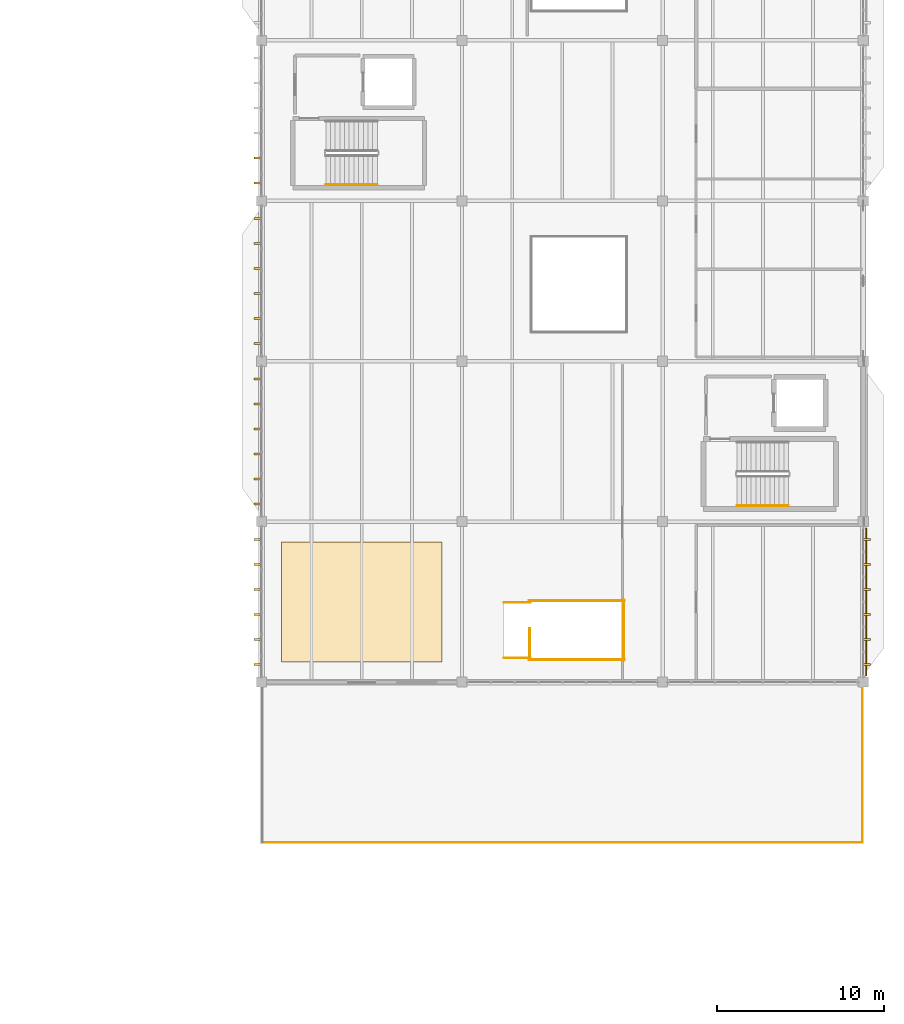
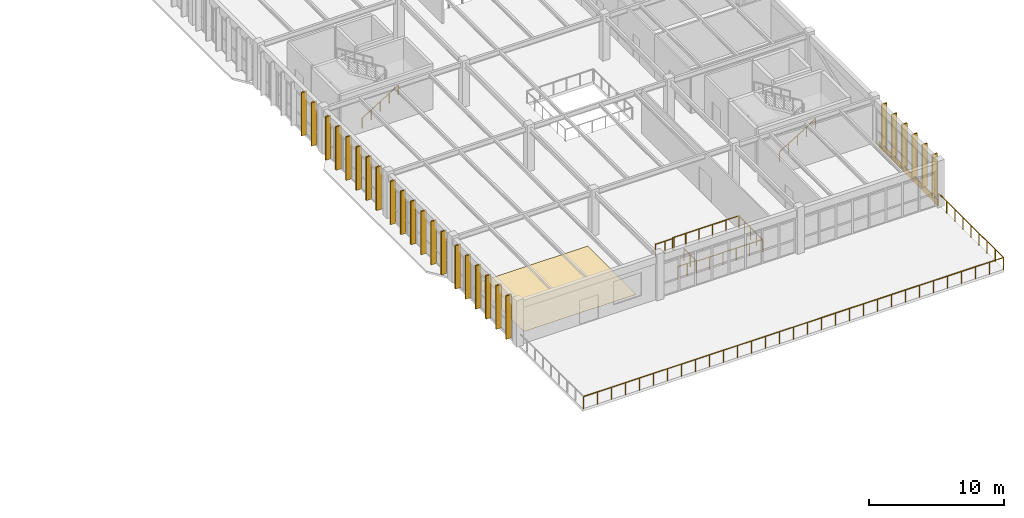
# One storey, part 78 of 83: 26 shading devices, 10 railings, 2 coverings.
"""IFC4 building model written with IfcOpenShell, lengths in metres."""

from ifc_helpers import new_model, si_unit, direction, frame, origin, origin_2d, place, context, subcontext, project, spatial, polyline, rectangle, circle, outline, extrude, material, layer, layer_set, type_object, element, save


model = new_model("IFC4")

# Units and contexts
model_context = context("Model", 3, precision=1e-05, world=origin(), true_north=direction((0.0, 1.0)))
body_context = subcontext(model_context, "Body", "Model", "MODEL_VIEW")
ifc_project = project(units=[si_unit("LENGTHUNIT", "METRE"), si_unit("AREAUNIT", "SQUARE_METRE"), si_unit("VOLUMEUNIT", "CUBIC_METRE"), si_unit("PLANEANGLEUNIT", "RADIAN"), si_unit("MASSUNIT", "GRAM", prefix="KILO")], contexts=[model_context])

# Site, building, storey
site_placement = place(None, origin())
site = spatial("IfcSite", under=ifc_project, at=site_placement, CompositionType="ELEMENT")
building_placement = place(site_placement, origin())
building = spatial("IfcBuilding", under=site, at=building_placement, Name="Pandanus Reach Market Hall", CompositionType="ELEMENT")
storey_placement = place(building_placement, frame((0.0, 0.0, 10.199951171875)))
storey = spatial("IfcBuildingStorey", under=building, at=storey_placement, Name="L02", CompositionType="ELEMENT", Elevation=10.199951171875)

# Railings
ifc_material_1 = material(Name="Galvanised steel Grade 350 (350 MPa)", Category="steel")
railing_type_1 = type_object("IfcRailingType", Name="BL-EXT-110", PredefinedType="BALUSTRADE", material=ifc_material_1)
railing_1_placement = place(storey_placement, frame((144.04833984375, 9.61279296875, 0.0)))
element("IfcRailing", 1, at=railing_1_placement, inside=storey, type_object=railing_type_1, Name="Terrace balustrade L02.13", PredefinedType="BALUSTRADE", context=body_context, shape_type="SweptSolid", body=[
    extrude(circle(Radius=0.02392578125, at=origin_2d()), frame((0.0, 0.0, 1.076171875), z_axis=(1.0, 0.0, 0.0), x_axis=(0.0, 1.0, 0.0)), (0.0, 0.0, 1.0), 35.9033203125),
    extrude(circle(Radius=0.02099609375, at=origin_2d()), origin(), (0.0, 0.0, 1.0), 1.052001953125),
    extrude(circle(Radius=0.02099609375, at=origin_2d()), frame((1.19677734375, 0.0, 0.0)), (0.0, 0.0, 1.0), 1.052001953125),
    extrude(circle(Radius=0.02099609375, at=origin_2d()), frame((2.3935546875, 0.0, 0.0)), (0.0, 0.0, 1.0), 1.052001953125),
    extrude(circle(Radius=0.02099609375, at=origin_2d()), frame((3.59033203125, 0.0, 0.0)), (0.0, 0.0, 1.0), 1.052001953125),
    extrude(circle(Radius=0.02099609375, at=origin_2d()), frame((4.787109375, 0.0, 0.0)), (0.0, 0.0, 1.0), 1.052001953125),
    extrude(circle(Radius=0.02099609375, at=origin_2d()), frame((5.98388671875, 0.0, 0.0)), (0.0, 0.0, 1.0), 1.052001953125),
    extrude(circle(Radius=0.02099609375, at=origin_2d()), frame((7.1806640625, 0.0, 0.0)), (0.0, 0.0, 1.0), 1.052001953125),
    extrude(circle(Radius=0.02099609375, at=origin_2d()), frame((8.37744140625, 0.0, 0.0)), (0.0, 0.0, 1.0), 1.052001953125),
    extrude(circle(Radius=0.02099609375, at=origin_2d()), frame((9.57421875, 0.0, 0.0)), (0.0, 0.0, 1.0), 1.052001953125),
    extrude(circle(Radius=0.02099609375, at=origin_2d()), frame((10.77099609375, 0.0, 0.0)), (0.0, 0.0, 1.0), 1.052001953125),
    extrude(circle(Radius=0.02099609375, at=origin_2d()), frame((11.9677734375, 0.0, 0.0)), (0.0, 0.0, 1.0), 1.052001953125),
    extrude(circle(Radius=0.02099609375, at=origin_2d()), frame((13.16455078125, 0.0, 0.0)), (0.0, 0.0, 1.0), 1.052001953125),
    extrude(circle(Radius=0.02099609375, at=origin_2d()), frame((14.361328125, 0.0, 0.0)), (0.0, 0.0, 1.0), 1.052001953125),
    extrude(circle(Radius=0.02099609375, at=origin_2d()), frame((15.55810546875, 0.0, 0.0)), (0.0, 0.0, 1.0), 1.052001953125),
    extrude(circle(Radius=0.02099609375, at=origin_2d()), frame((16.7548828125, 0.0, 0.0)), (0.0, 0.0, 1.0), 1.052001953125),
    extrude(circle(Radius=0.02099609375, at=origin_2d()), frame((17.95166015625, 0.0, 0.0)), (0.0, 0.0, 1.0), 1.052001953125),
    extrude(circle(Radius=0.02099609375, at=origin_2d()), frame((19.1484375, 0.0, 0.0)), (0.0, 0.0, 1.0), 1.052001953125),
    extrude(circle(Radius=0.02099609375, at=origin_2d()), frame((20.34521484375, 0.0, 0.0)), (0.0, 0.0, 1.0), 1.052001953125),
    extrude(circle(Radius=0.02099609375, at=origin_2d()), frame((21.5419921875, 0.0, 0.0)), (0.0, 0.0, 1.0), 1.052001953125),
    extrude(circle(Radius=0.02099609375, at=origin_2d()), frame((22.73876953125, 0.0, 0.0)), (0.0, 0.0, 1.0), 1.052001953125),
    extrude(circle(Radius=0.02099609375, at=origin_2d()), frame((23.935546875, 0.0, 0.0)), (0.0, 0.0, 1.0), 1.052001953125),
    extrude(circle(Radius=0.02099609375, at=origin_2d()), frame((25.13232421875, 0.0, 0.0)), (0.0, 0.0, 1.0), 1.052001953125),
    extrude(circle(Radius=0.02099609375, at=origin_2d()), frame((26.3291015625, 0.0, 0.0)), (0.0, 0.0, 1.0), 1.052001953125),
    extrude(circle(Radius=0.02099609375, at=origin_2d()), frame((27.52587890625, 0.0, 0.0)), (0.0, 0.0, 1.0), 1.052001953125),
    extrude(circle(Radius=0.02099609375, at=origin_2d()), frame((28.72265625, 0.0, 0.0)), (0.0, 0.0, 1.0), 1.052001953125),
    extrude(circle(Radius=0.02099609375, at=origin_2d()), frame((29.91943359375, 0.0, 0.0)), (0.0, 0.0, 1.0), 1.052001953125),
    extrude(circle(Radius=0.02099609375, at=origin_2d()), frame((31.1162109375, 0.0, 0.0)), (0.0, 0.0, 1.0), 1.052001953125),
    extrude(circle(Radius=0.02099609375, at=origin_2d()), frame((32.31298828125, 0.0, 0.0)), (0.0, 0.0, 1.0), 1.052001953125),
    extrude(circle(Radius=0.02099609375, at=origin_2d()), frame((33.509765625, 0.0, 0.0)), (0.0, 0.0, 1.0), 1.052001953125),
    extrude(circle(Radius=0.02099609375, at=origin_2d()), frame((34.70654296875, 0.0, 0.0)), (0.0, 0.0, 1.0), 1.052001953125),
    extrude(circle(Radius=0.02099609375, at=origin_2d()), frame((35.9033203125, 0.0, 0.0)), (0.0, 0.0, 1.0), 1.052001953125),
])
railing_2_placement = place(storey_placement, frame((179.95166015625, 9.61279296875, 0.0)))
element("IfcRailing", 2, at=railing_2_placement, inside=storey, type_object=railing_type_1, Name="Terrace balustrade L02.14", PredefinedType="BALUSTRADE", context=body_context, shape_type="SweptSolid", body=[
    extrude(circle(Radius=0.02392578125, at=origin_2d()), frame((0.0, 0.0, 1.076171875), z_axis=(0.0, 1.0, 0.0), x_axis=(-1.0, 0.0, 0.0)), (0.0, 0.0, 1.0), 9.57421875),
    extrude(circle(Radius=0.02099609375, at=origin_2d()), origin(), (0.0, 0.0, 1.0), 1.052001953125),
    extrude(circle(Radius=0.02099609375, at=origin_2d()), frame((0.0, 1.19677734375, 0.0)), (0.0, 0.0, 1.0), 1.052001953125),
    extrude(circle(Radius=0.02099609375, at=origin_2d()), frame((0.0, 2.3935546875, 0.0)), (0.0, 0.0, 1.0), 1.052001953125),
    extrude(circle(Radius=0.02099609375, at=origin_2d()), frame((0.0, 3.59033203125, 0.0)), (0.0, 0.0, 1.0), 1.052001953125),
    extrude(circle(Radius=0.02099609375, at=origin_2d()), frame((0.0, 4.787109375, 0.0)), (0.0, 0.0, 1.0), 1.052001953125),
    extrude(circle(Radius=0.02099609375, at=origin_2d()), frame((0.0, 5.98388671875, 0.0)), (0.0, 0.0, 1.0), 1.052001953125),
    extrude(circle(Radius=0.02099609375, at=origin_2d()), frame((0.0, 7.1806640625, 0.0)), (0.0, 0.0, 1.0), 1.052001953125),
    extrude(circle(Radius=0.02099609375, at=origin_2d()), frame((0.0, 8.37744140625, 0.0)), (0.0, 0.0, 1.0), 1.052001953125),
    extrude(circle(Radius=0.02099609375, at=origin_2d()), frame((0.0, 9.57421875, 0.0)), (0.0, 0.0, 1.0), 1.052001953125),
])

# Coverings
ifc_material_2 = material(Name="Precast concrete S50 (50 MPa)", Category="concrete")
ifc_layer_1 = layer(ifc_material_2, 0.06005859375, Name="CLD-S50-60")
ifc_layer_set_1 = layer_set([ifc_layer_1], Name="Precast concrete S50 (50 MPa)")
covering_type_1 = type_object("IfcCoveringType", Name="CLD-S50-60", PredefinedType="CLADDING", material=ifc_layer_set_1)
covering_1_placement = place(storey_placement, frame((180.179931640625, 24.0, -0.4248046875), z_axis=(0.0, 0.0, 1.0), x_axis=(0.0, 1.0, 0.0)))
element("IfcCovering", 3, at=covering_1_placement, inside=storey, type_object=covering_type_1, Name="Precast spandrel cladding panel 3", PredefinedType="CLADDING", context=body_context, shape_type="SweptSolid", body=[
    extrude(rectangle(XDim=8.800048828125, YDim=0.06005859375, at=origin_2d()), origin(), (0.0, 0.0, 1.0), 0.550048828125),
])
ifc_material_3 = material(Name="Washable coved epoxy terrazzo flooring")
ifc_layer_2 = layer(ifc_material_3, 0.014892578125, Name="FLR-EPX-15")
ifc_layer_set_2 = layer_set([ifc_layer_2], Name="Washable coved epoxy terrazzo flooring")
covering_type_2 = type_object("IfcCoveringType", Name="FLR-EPX-15", PredefinedType="FLOORING", material=ifc_layer_set_2)
covering_2_placement = place(storey_placement, origin())
element("IfcCovering", 4, at=covering_2_placement, inside=storey, type_object=covering_type_2, Name="Washable epoxy terrazzo flooring L02.6", PredefinedType="FLOORING", context=body_context, shape_type="SweptSolid", body=[
    extrude(outline(polyline([(145.199951171875, 20.39990234375), (154.800048828125, 20.39990234375), (154.800048828125, 27.60009765625), (145.199951171875, 27.60009765625), (145.199951171875, 20.39990234375)])), origin(), (0.0, 0.0, 1.0), 0.01513671875),
])

# Shading devices
shading_device_type = type_object("IfcShadingDeviceType", Name="FN-S50-450", PredefinedType="JALOUSIE", material=ifc_material_2)
for number, where, z_axis, x_axis, name in (
    (5, (180.219970703125, 20.25, -0.010009765625), (0.0, 0.0, 1.0), (1.0, 0.0, 0.0), "Precast brise-soleil fin 444"),
    (6, (180.219970703125, 21.75, -0.010009765625), (0.0, 0.0, 1.0), (1.0, 0.0, 0.0), "Precast brise-soleil fin 445"),
    (7, (180.219970703125, 23.25, -0.010009765625), (0.0, 0.0, 1.0), (1.0, 0.0, 0.0), "Precast brise-soleil fin 446"),
    (8, (180.219970703125, 24.75, -0.010009765625), (0.0, 0.0, 1.0), (1.0, 0.0, 0.0), "Precast brise-soleil fin 447"),
    (9, (180.219970703125, 26.25, -0.010009765625), (0.0, 0.0, 1.0), (1.0, 0.0, 0.0), "Precast brise-soleil fin 448"),
    (10, (180.219970703125, 27.75, -0.010009765625), (0.0, 0.0, 1.0), (1.0, 0.0, 0.0), "Precast brise-soleil fin 449"),
    (11, (143.780029296875, 20.25, -0.010009765625), (0.0, 0.0, 1.0), (-1.0, 0.0, 0.0), "Precast brise-soleil fin 468"),
    (12, (143.780029296875, 21.75, -0.010009765625), (0.0, 0.0, 1.0), (-1.0, 0.0, 0.0), "Precast brise-soleil fin 469"),
    (13, (143.780029296875, 23.25, -0.010009765625), (0.0, 0.0, 1.0), (-1.0, 0.0, 0.0), "Precast brise-soleil fin 470"),
    (14, (143.780029296875, 24.75, -0.010009765625), (0.0, 0.0, 1.0), (-1.0, 0.0, 0.0), "Precast brise-soleil fin 471"),
    (15, (143.780029296875, 26.25, -0.010009765625), (0.0, 0.0, 1.0), (-1.0, 0.0, 0.0), "Precast brise-soleil fin 472"),
    (16, (143.780029296875, 27.75, -0.010009765625), (0.0, 0.0, 1.0), (-1.0, 0.0, 0.0), "Precast brise-soleil fin 473"),
    (17, (143.780029296875, 29.85009765625, -0.010009765625), (0.0, 0.0, 1.0), (-1.0, 0.0, 0.0), "Precast brise-soleil fin 474"),
    (18, (143.780029296875, 31.35009765625, -0.010009765625), (0.0, 0.0, 1.0), (-1.0, 0.0, 0.0), "Precast brise-soleil fin 475"),
    (19, (143.780029296875, 32.85009765625, -0.010009765625), (0.0, 0.0, 1.0), (-1.0, 0.0, 0.0), "Precast brise-soleil fin 476"),
    (20, (143.780029296875, 34.35009765625, -0.010009765625), (0.0, 0.0, 1.0), (-1.0, 0.0, 0.0), "Precast brise-soleil fin 477"),
    (21, (143.780029296875, 35.85009765625, -0.010009765625), (0.0, 0.0, 1.0), (-1.0, 0.0, 0.0), "Precast brise-soleil fin 478"),
    (22, (143.780029296875, 37.35009765625, -0.010009765625), (0.0, 0.0, 1.0), (-1.0, 0.0, 0.0), "Precast brise-soleil fin 479"),
    (23, (143.780029296875, 39.449951171875, -0.010009765625), (0.0, 0.0, 1.0), (-1.0, 0.0, 0.0), "Precast brise-soleil fin 480"),
    (24, (143.780029296875, 40.949951171875, -0.010009765625), (0.0, 0.0, 1.0), (-1.0, 0.0, 0.0), "Precast brise-soleil fin 481"),
    (25, (143.780029296875, 42.449951171875, -0.010009765625), (0.0, 0.0, 1.0), (-1.0, 0.0, 0.0), "Precast brise-soleil fin 482"),
    (26, (143.780029296875, 43.949951171875, -0.010009765625), (0.0, 0.0, 1.0), (-1.0, 0.0, 0.0), "Precast brise-soleil fin 483"),
    (27, (143.780029296875, 45.449951171875, -0.010009765625), (0.0, 0.0, 1.0), (-1.0, 0.0, 0.0), "Precast brise-soleil fin 484"),
    (28, (143.780029296875, 46.949951171875, -0.010009765625), (0.0, 0.0, 1.0), (-1.0, 0.0, 0.0), "Precast brise-soleil fin 485"),
    (29, (143.780029296875, 49.050048828125, -0.010009765625), (0.0, 0.0, 1.0), (-1.0, 0.0, 0.0), "Precast brise-soleil fin 486"),
    (30, (143.780029296875, 50.550048828125, -0.010009765625), (0.0, 0.0, 1.0), (-1.0, 0.0, 0.0), "Precast brise-soleil fin 487"),
):
    element("IfcShadingDevice", number, at=place(storey_placement, frame(where, z_axis=z_axis, x_axis=x_axis)), inside=storey, type_object=shading_device_type, Name=name, PredefinedType="JALOUSIE", context=body_context, shape_type="SweptSolid", body=[
        extrude(rectangle(XDim=0.449951171875, YDim=0.1201171875, at=origin_2d()), origin(), (0.0, 0.0, 1.0), 3.919921875),
    ])

# Railings
railing_type_2 = type_object("IfcRailingType", Name="GR-INT-110", PredefinedType="GUARDRAIL", material=ifc_material_1)
railing_3_placement = place(storey_placement, frame((160.050048828125, 20.60009765625, 0.0)))
element("IfcRailing", 31, at=railing_3_placement, inside=storey, type_object=railing_type_2, Name="Stair well top guard ST-11.206", PredefinedType="GUARDRAIL", context=body_context, shape_type="SweptSolid", body=[
    extrude(circle(Radius=0.02392578125, at=origin_2d()), frame((0.0, 0.0, 1.076171875), z_axis=(0.0, 1.0, 0.0), x_axis=(-1.0, 0.0, 0.0)), (0.0, 0.0, 1.0), 1.81982421875),
    extrude(circle(Radius=0.02099609375, at=origin_2d()), origin(), (0.0, 0.0, 1.0), 1.052001953125),
    extrude(circle(Radius=0.02099609375, at=origin_2d()), frame((0.0, 0.909912109375, 0.0)), (0.0, 0.0, 1.0), 1.052001953125),
    extrude(circle(Radius=0.02099609375, at=origin_2d()), frame((0.0, 1.81982421875, 0.0)), (0.0, 0.0, 1.0), 1.052001953125),
])
for number, where, name in (
    (32, (160.0, 20.550048828125, 0.0), "Stair well top guard ST-11.207"),
    (33, (160.0, 24.070068359375, 0.0), "Stair well top guard ST-11.208"),
):
    element("IfcRailing", number, at=place(storey_placement, frame(where)), inside=storey, type_object=railing_type_2, Name=name, PredefinedType="GUARDRAIL", context=body_context, shape_type="SweptSolid", body=[
        extrude(circle(Radius=0.02392578125, at=origin_2d()), frame((0.0, 0.0, 1.076171875), z_axis=(1.0, 0.0, 0.0), x_axis=(0.0, 1.0, 0.0)), (0.0, 0.0, 1.0), 5.719970703125),
        extrude(circle(Radius=0.02099609375, at=origin_2d()), origin(), (0.0, 0.0, 1.0), 1.052001953125),
        extrude(circle(Radius=0.02099609375, at=origin_2d()), frame((1.14404296875, 0.0, 0.0)), (0.0, 0.0, 1.0), 1.052001953125),
        extrude(circle(Radius=0.02099609375, at=origin_2d()), frame((2.2880859375, 0.0, 0.0)), (0.0, 0.0, 1.0), 1.052001953125),
        extrude(circle(Radius=0.02099609375, at=origin_2d()), frame((3.431884765625, 0.0, 0.0)), (0.0, 0.0, 1.0), 1.052001953125),
        extrude(circle(Radius=0.02099609375, at=origin_2d()), frame((4.575927734375, 0.0, 0.0)), (0.0, 0.0, 1.0), 1.052001953125),
        extrude(circle(Radius=0.02099609375, at=origin_2d()), frame((5.719970703125, 0.0, 0.0)), (0.0, 0.0, 1.0), 1.052001953125),
    ])
railing_4_placement = place(storey_placement, frame((165.669921875, 20.5, 0.0)))
element("IfcRailing", 34, at=railing_4_placement, inside=storey, type_object=railing_type_2, Name="Stair well top guard ST-11.209", PredefinedType="GUARDRAIL", context=body_context, shape_type="SweptSolid", body=[
    extrude(circle(Radius=0.02392578125, at=origin_2d()), frame((0.0, 0.0, 1.076171875), z_axis=(0.0, 1.0, 0.0), x_axis=(-1.0, 0.0, 0.0)), (0.0, 0.0, 1.0), 3.6201171875),
    extrude(circle(Radius=0.02099609375, at=origin_2d()), origin(), (0.0, 0.0, 1.0), 1.052001953125),
    extrude(circle(Radius=0.02099609375, at=origin_2d()), frame((0.0, 0.905029296875, 0.0)), (0.0, 0.0, 1.0), 1.052001953125),
    extrude(circle(Radius=0.02099609375, at=origin_2d()), frame((0.0, 1.81005859375, 0.0)), (0.0, 0.0, 1.0), 1.052001953125),
    extrude(circle(Radius=0.02099609375, at=origin_2d()), frame((0.0, 2.715087890625, 0.0)), (0.0, 0.0, 1.0), 1.052001953125),
    extrude(circle(Radius=0.02099609375, at=origin_2d()), frame((0.0, 3.6201171875, 0.0)), (0.0, 0.0, 1.0), 1.052001953125),
])
for number, where, name in (
    (35, (158.5, 20.64990234375, 0.0), "Stair well top guard ST-11.210"),
    (36, (158.5, 23.969970703125, 0.0), "Stair well top guard ST-11.211"),
):
    element("IfcRailing", number, at=place(storey_placement, frame(where)), inside=storey, type_object=railing_type_2, Name=name, PredefinedType="GUARDRAIL", context=body_context, shape_type="SweptSolid", body=[
        extrude(circle(Radius=0.02392578125, at=origin_2d()), frame((0.0, 0.0, 1.076171875), z_axis=(1.0, 0.0, 0.0), x_axis=(0.0, 1.0, 0.0)), (0.0, 0.0, 1.0), 1.60009765625),
        extrude(circle(Radius=0.02099609375, at=origin_2d()), origin(), (0.0, 0.0, 1.0), 1.052001953125),
        extrude(circle(Radius=0.02099609375, at=origin_2d()), frame((0.800048828125, 0.0, 0.0)), (0.0, 0.0, 1.0), 1.052001953125),
        extrude(circle(Radius=0.02099609375, at=origin_2d()), frame((1.60009765625, 0.0, 0.0)), (0.0, 0.0, 1.0), 1.052001953125),
    ])
ifc_material_4 = material(Name="Brushed stainless steel", Category="steel")
railing_type_3 = type_object("IfcRailingType", Name="HR-WAL-090", PredefinedType="HANDRAIL", material=ifc_material_4)
railing_5_placement = place(storey_placement, frame((172.449951171875, 29.75, 0.175048828125)))
element("IfcRailing", 37, at=railing_5_placement, inside=storey, type_object=railing_type_3, Name="Stair handrail ST-01 L02.23", PredefinedType="HANDRAIL", context=body_context, shape_type="SweptSolid", body=[
    extrude(circle(Radius=0.02392578125, at=origin_2d()), frame((0.0, 0.0, 0.8759765625), z_axis=(0.847998304005, 0.0, 0.529998940003), x_axis=(0.0, 1.0, 0.0)), (0.0, 0.0, 1.0), 3.632080078125),
    extrude(circle(Radius=0.02099609375, at=origin_2d()), origin(), (0.0, 0.0, 1.0), 0.851806640625),
    extrude(circle(Radius=0.02099609375, at=origin_2d()), frame((0.77001953125, 0.0, 0.481201171875)), (0.0, 0.0, 1.0), 0.851806640625),
    extrude(circle(Radius=0.02099609375, at=origin_2d()), frame((1.5400390625, 0.0, 0.96240234375)), (0.0, 0.0, 1.0), 0.851806640625),
    extrude(circle(Radius=0.02099609375, at=origin_2d()), frame((2.31005859375, 0.0, 1.44384765625)), (0.0, 0.0, 1.0), 0.851806640625),
    extrude(circle(Radius=0.02099609375, at=origin_2d()), frame((3.080078125, 0.0, 1.925048828125)), (0.0, 0.0, 1.0), 0.851806640625),
])
railing_6_placement = place(storey_placement, frame((147.85009765625, 48.949951171875, 0.175048828125)))
element("IfcRailing", 38, at=railing_6_placement, inside=storey, type_object=railing_type_3, Name="Stair handrail ST-03 L02.85", PredefinedType="HANDRAIL", context=body_context, shape_type="SweptSolid", body=[
    extrude(circle(Radius=0.02392578125, at=origin_2d()), frame((0.0, 0.0, 0.8759765625), z_axis=(0.847979421464, 0.0, 0.530029150871), x_axis=(0.0, 1.0, 0.0)), (0.0, 0.0, 1.0), 3.632080078125),
    extrude(circle(Radius=0.02099609375, at=origin_2d()), origin(), (0.0, 0.0, 1.0), 0.851806640625),
    extrude(circle(Radius=0.02099609375, at=origin_2d()), frame((0.77001953125, 0.0, 0.481201171875)), (0.0, 0.0, 1.0), 0.851806640625),
    extrude(circle(Radius=0.02099609375, at=origin_2d()), frame((1.5400390625, 0.0, 0.96240234375)), (0.0, 0.0, 1.0), 0.851806640625),
    extrude(circle(Radius=0.02099609375, at=origin_2d()), frame((2.309814453125, 0.0, 1.44384765625)), (0.0, 0.0, 1.0), 0.851806640625),
    extrude(circle(Radius=0.02099609375, at=origin_2d()), frame((3.079833984375, 0.0, 1.925048828125)), (0.0, 0.0, 1.0), 0.851806640625),
])

save(model, "model.ifc")
